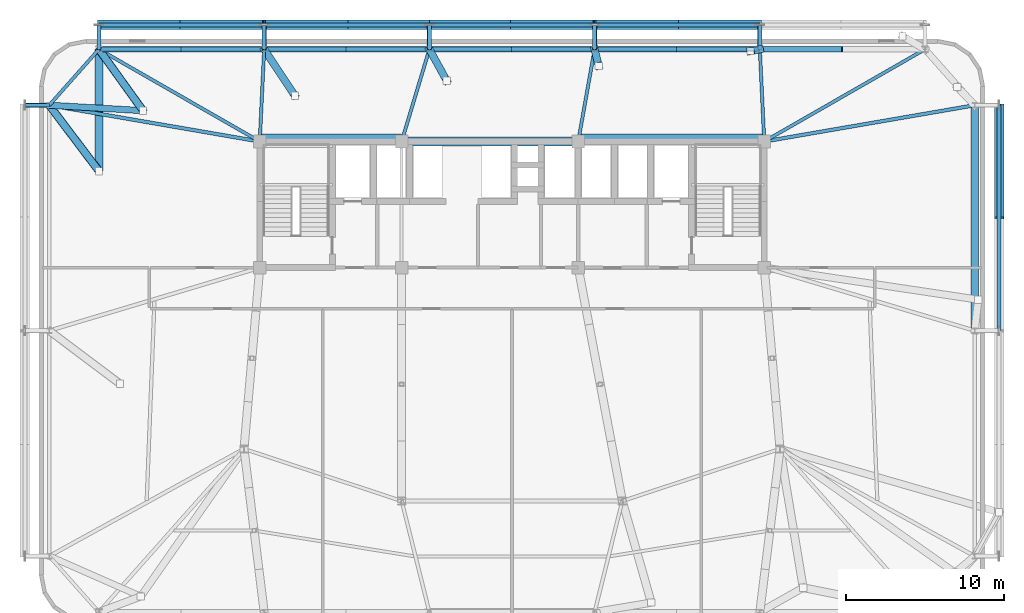
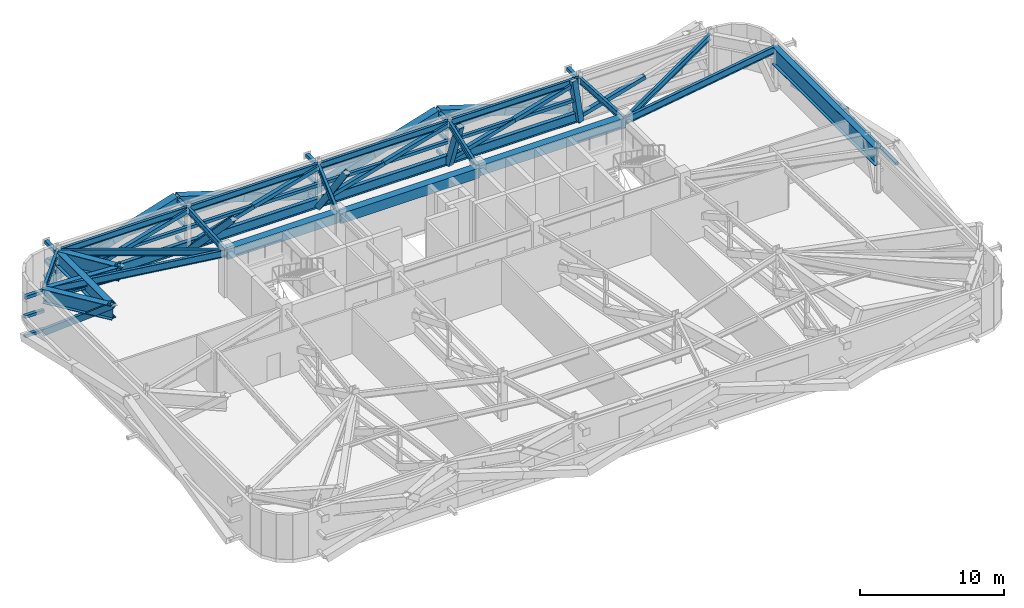
# One storey, part 11 of 24: 55 members, 21 beams.
"""IFC4 building model written with IfcOpenShell, lengths in metres."""

import ifcopenshell
import ifcopenshell.guid

model = None  # the IFC model being written
_history = None  # IfcOwnerHistory: only IFC2X3 demands one
_inside = {}  # id of a spatial element -> (the spatial element, [elements in it])
_under = {}  # id of a project, library or spatial element -> (it, [spatial elements below it])
_declared = {}  # id of a project -> (the project, [libraries it declares])
_typed = {}  # id of a type object -> (the type object, [elements of that type])
_made_of = {}  # id of a material, layer set ... -> (it, [elements and type objects made of it])


def new_model(schema):
    """Start an empty IFC model of exactly this schema.

    Asked for "IFC4X3", IfcOpenShell would pick the latest addendum, in which some entities
    have other attributes; the version numbers below select the first issue.
    IFC2X3 requires an IfcOwnerHistory on every rooted entity: one is made here for all.
    """
    global model, _history
    if schema == "IFC4X3":
        model = ifcopenshell.file(schema_version=(4, 3, 0, 0))
    else:
        model = ifcopenshell.file(schema=schema)
    _inside.clear()
    _under.clear()
    _declared.clear()
    _typed.clear()
    _made_of.clear()
    _history = None
    if model.schema == "IFC2X3":
        org = make("IfcOrganization", Name="unknown")
        user = make(
            "IfcPersonAndOrganization",
            ThePerson=make("IfcPerson", FamilyName="unknown"),
            TheOrganization=org,
        )
        app = make(
            "IfcApplication",
            ApplicationDeveloper=org,
            Version="unknown",
            ApplicationFullName="unknown",
            ApplicationIdentifier="unknown",
        )
        _history = make(
            "IfcOwnerHistory",
            OwningUser=user,
            OwningApplication=app,
            ChangeAction="ADDED",
            CreationDate=0,
        )
    return model


def make(cls, **values):
    """One entity of the class cls with the attributes given. An attribute that is None is left unset."""
    return model.create_entity(
        cls, **{name: value for name, value in values.items() if value is not None}
    )


def rooted(cls, **values):
    """An entity with a GlobalId (a new one), such as an element, a storey or a relation."""
    return make(cls, GlobalId=ifcopenshell.guid.new(), OwnerHistory=_history, **values)


def si_unit(unit_type, name, prefix=None):
    """IfcSIUnit, for example si_unit("LENGTHUNIT", "METRE", prefix="MILLI")."""
    return make("IfcSIUnit", UnitType=unit_type, Prefix=prefix, Name=name)


def assignment(units):
    """IfcUnitAssignment: the units of a project."""
    return None if units is None else make("IfcUnitAssignment", Units=units)


def point(xyz):
    """IfcCartesianPoint."""
    return None if xyz is None else make("IfcCartesianPoint", Coordinates=xyz)


def direction(xyz):
    """IfcDirection."""
    return None if xyz is None else make("IfcDirection", DirectionRatios=xyz)


def frame(location, z_axis=None, x_axis=None):
    """IfcAxis2Placement3D, a coordinate frame: its origin and axes. An axis left out is left unset."""
    return make(
        "IfcAxis2Placement3D",
        Location=point(location),
        Axis=direction(z_axis),
        RefDirection=direction(x_axis),
    )


def frame_2d(location, x_axis=None):
    """IfcAxis2Placement2D, a coordinate frame in the plane: its origin and x axis."""
    return make(
        "IfcAxis2Placement2D", Location=point(location), RefDirection=direction(x_axis)
    )


def origin():
    """The frame at (0, 0, 0) with its axes left unset."""
    return frame((0.0, 0.0, 0.0))


def origin_2d():
    """The frame at (0, 0) in the plane with its x axis left unset."""
    return frame_2d((0.0, 0.0))


def place(relative_to, where):
    """IfcLocalPlacement: puts the frame where relative to a parent placement (None: the world)."""
    return make(
        "IfcLocalPlacement", PlacementRelTo=relative_to, RelativePlacement=where
    )


def context(
    kind, dimensions, precision=None, world=None, true_north=None, identifier=None
):
    """IfcGeometricRepresentationContext, for example the 3D "Model" context."""
    return make(
        "IfcGeometricRepresentationContext",
        ContextIdentifier=identifier,
        ContextType=kind,
        CoordinateSpaceDimension=dimensions,
        Precision=precision,
        WorldCoordinateSystem=world,
        TrueNorth=true_north,
    )


def subcontext(parent, identifier, kind, view, scale=None):
    """IfcGeometricRepresentationSubContext, for example "Body" below "Model"."""
    return make(
        "IfcGeometricRepresentationSubContext",
        ContextIdentifier=identifier,
        ContextType=kind,
        ParentContext=parent,
        TargetScale=scale,
        TargetView=view,
    )


def project(units=None, contexts=None):
    """IfcProject with its units and contexts."""
    return rooted(
        "IfcProject",
        Name="project",
        RepresentationContexts=contexts,
        UnitsInContext=assignment(units),
    )


def spatial(cls, under=None, at=None, **own):
    """A site, building, storey or space (cls), placed at a placement, below another one or the project."""
    s = rooted(cls, ObjectPlacement=at, **own)
    if under is not None:
        _under.setdefault(under.id(), (under, []))[1].append(s)
    return s


def profile(cls, at=None, kind="AREA", **sizes):
    """A parametric profile (cls). Its sizes go by their IFC names, for example OverallWidth=200.0."""
    return make(cls, ProfileType=kind, Position=at, **sizes)


def rectangle(**sizes):
    """IfcRectangleProfileDef."""
    return profile("IfcRectangleProfileDef", **sizes)


def hollow_rectangle(**sizes):
    """IfcRectangleHollowProfileDef."""
    return profile("IfcRectangleHollowProfileDef", **sizes)


def i_section(**sizes):
    """IfcIShapeProfileDef."""
    return profile("IfcIShapeProfileDef", **sizes)


def extrude(swept, where, along, depth):
    """IfcExtrudedAreaSolid: the profile swept, set in the frame where, extruded along a direction by depth."""
    return make(
        "IfcExtrudedAreaSolid",
        SweptArea=swept,
        Position=where,
        ExtrudedDirection=direction(along),
        Depth=depth,
    )


def shape(context_of_items, identifier, shape_type, items):
    """IfcShapeRepresentation: the items that make up one representation, for example the "Body"."""
    return make(
        "IfcShapeRepresentation",
        ContextOfItems=context_of_items,
        RepresentationIdentifier=identifier,
        RepresentationType=shape_type,
        Items=items,
    )


def source(mapping_origin, context_of_items, identifier, shape_type, items):
    """IfcRepresentationMap: a shape defined once, which mapped items show again and again."""
    return make(
        "IfcRepresentationMap",
        MappingOrigin=mapping_origin,
        MappedRepresentation=shape(context_of_items, identifier, shape_type, items),
    )


def transform(
    local_origin,
    x_axis=None,
    y_axis=None,
    z_axis=None,
    scale=None,
    scale2=None,
    scale3=None,
    uniform=True,
):
    """IfcCartesianTransformationOperator3D, or its non-uniform kind. x_axis, y_axis, z_axis: its Axis1, 2, 3."""
    if uniform:
        return make(
            "IfcCartesianTransformationOperator3D",
            Axis1=direction(x_axis),
            Axis2=direction(y_axis),
            LocalOrigin=point(local_origin),
            Scale=scale,
            Axis3=direction(z_axis),
        )
    return make(
        "IfcCartesianTransformationOperator3DnonUniform",
        Axis1=direction(x_axis),
        Axis2=direction(y_axis),
        LocalOrigin=point(local_origin),
        Scale=scale,
        Axis3=direction(z_axis),
        Scale2=scale2,
        Scale3=scale3,
    )


def mapped(mapping_source, mapping_target):
    """IfcMappedItem: shows the shape of a source again, moved by a transform."""
    return make(
        "IfcMappedItem", MappingSource=mapping_source, MappingTarget=mapping_target
    )


def material(Name=None, Category=None):
    """IfcMaterial."""
    return make("IfcMaterial", Name=Name, Category=Category)


def material_profile(
    of_material, cross_section, Name=None, Category=None, Priority=None
):
    """IfcMaterialProfile: a cross section and its material."""
    return make(
        "IfcMaterialProfile",
        Name=Name,
        Material=of_material,
        Profile=cross_section,
        Priority=Priority,
        Category=Category,
    )


def profile_set(profiles, Name=None, composite=None):
    """IfcMaterialProfileSet."""
    return make(
        "IfcMaterialProfileSet",
        Name=Name,
        MaterialProfiles=profiles,
        CompositeProfile=composite,
    )


def made_of(thing, what):
    """Note that an element or type object is made of a material, layer set ...; save() writes the relation."""
    if what is not None:
        _made_of.setdefault(what.id(), (what, []))[1].append(thing)
    return thing


def type_object(cls, material=None, **own):
    """A type object (cls), such as IfcWallType, which elements share."""
    return made_of(rooted(cls, **own), material)


def element(
    cls,
    number,
    at=None,
    inside=None,
    cuts=None,
    type_object=None,
    material=None,
    context=None,
    identifier="Body",
    shape_type=None,
    held_by="IfcProductDefinitionShape",
    body=None,
    shapes=None,
    **own,
):
    """One element of the class cls, such as IfcWall. Its Tag is "e" and its number.

    at: its placement. inside: the storey or other place that contains it. cuts: it is an
    opening in that element (IfcRelVoidsElement). A single representation is given by context,
    identifier, shape_type and body (its items); several are given by shapes. held_by: the class
    of the entity that holds the representations. save() writes the other relations.
    """
    e = rooted(cls, Tag="e%d" % number, ObjectPlacement=at, **own)
    if body is not None:
        shapes = [shape(context, identifier, shape_type, body)]
    if shapes is not None:
        e.Representation = make(held_by, Representations=shapes)
    if inside is not None:
        _inside.setdefault(inside.id(), (inside, []))[1].append(e)
    if cuts is not None:
        rooted(
            "IfcRelVoidsElement", RelatingBuildingElement=cuts, RelatedOpeningElement=e
        )
    if type_object is not None:
        _typed.setdefault(type_object.id(), (type_object, []))[1].append(e)
    return made_of(e, material)


def aggregate(whole, parts):
    """IfcRelAggregates: a whole, such as a stair, and the parts it consists of."""
    return rooted("IfcRelAggregates", RelatingObject=whole, RelatedObjects=parts)


def save(model, path):
    """Write the relations noted so far, then the file.

    IfcRelAggregates (storeys below a building ...), IfcRelContainedInSpatialStructure (elements
    in a storey), IfcRelDefinesByType, IfcRelAssociatesMaterial and IfcRelDeclares: one each for
    every whole, place, type object, material and project.
    """
    for whole, parts in _under.values():
        aggregate(whole, parts)
    for where, things in _inside.values():
        rooted(
            "IfcRelContainedInSpatialStructure",
            RelatedElements=things,
            RelatingStructure=where,
        )
    for kind, things in _typed.values():
        rooted("IfcRelDefinesByType", RelatedObjects=things, RelatingType=kind)
    for what, things in _made_of.values():
        rooted("IfcRelAssociatesMaterial", RelatedObjects=things, RelatingMaterial=what)
    for by, libraries in _declared.values():
        rooted("IfcRelDeclares", RelatingContext=by, RelatedDefinitions=libraries)
    model.write(path)


model = new_model("IFC4")

# Units and contexts
model_context = context("Model", 3, precision=1e-05, world=origin(), true_north=direction((0.0, 1.0)))
body_context = subcontext(model_context, "Body", "Model", "MODEL_VIEW")
ifc_project = project(units=[si_unit("LENGTHUNIT", "METRE"), si_unit("AREAUNIT", "SQUARE_METRE"), si_unit("VOLUMEUNIT", "CUBIC_METRE"), si_unit("PLANEANGLEUNIT", "RADIAN"), si_unit("MASSUNIT", "GRAM", prefix="KILO")], contexts=[model_context])

# Site, building, storey
site_placement = place(None, origin())
site = spatial("IfcSite", under=ifc_project, at=site_placement, CompositionType="ELEMENT")
building_placement = place(site_placement, origin())
building = spatial("IfcBuilding", under=site, at=building_placement, Name="Taldren Reach Tower", CompositionType="ELEMENT")
storey_placement = place(building_placement, frame((0.0, 0.0, 60.89990234375)))
storey = spatial("IfcBuildingStorey", under=building, at=storey_placement, Name="L18", CompositionType="ELEMENT", Elevation=60.89990234375)

# Beams
ifc_material_1 = material(Name="Concrete S80 (80 MPa)", Category="concrete")
ifc_material_profile_1 = material_profile(ifc_material_1, rectangle(XDim=0.60009765625, YDim=0.85009765625, at=origin_2d()), Name="RC-CB600x850")
ifc_profile_set_1 = profile_set([ifc_material_profile_1], Name="Concrete S80 (80 MPa)")
beam_type_1 = type_object("IfcBeamType", Name="BM-RCCB850", PredefinedType="BEAM", material=ifc_profile_set_1)
shared_shape_1 = source(origin(), body_context, "Body", "SweptSolid", [
    extrude(rectangle(XDim=0.60009765625, YDim=0.85009765625, at=origin_2d()), origin(), (0.0, 0.0, 1.0), 9.0),
])
beam_1_placement = place(storey_placement, frame((19.0, 32.179931640625, 3.35498046875), z_axis=(1.0, 0.0, 0.0), x_axis=(0.0, 1.0, 0.0)))
element("IfcBeam", 1, at=beam_1_placement, inside=storey, type_object=beam_type_1, Name="Core-spine girder L18-SP04", PredefinedType="BEAM", context=body_context, shape_type="MappedRepresentation", body=[
    mapped(shared_shape_1, transform((0.0, 0.0, 0.0), scale=1.0)),
])
shared_shape_2 = source(origin(), body_context, "Body", "SweptSolid", [
    extrude(rectangle(XDim=0.60009765625, YDim=0.85009765625, at=origin_2d()), origin(), (0.0, 0.0, 1.0), 11.199951171875),
])
beam_2_placement = place(storey_placement, frame((28.0, 32.0, 3.35498046875), z_axis=(1.0, 0.0, 0.0), x_axis=(0.0, 1.0, 0.0)))
element("IfcBeam", 2, at=beam_2_placement, inside=storey, type_object=beam_type_1, Name="Core-spine girder L18-SP05", PredefinedType="BEAM", context=body_context, shape_type="MappedRepresentation", body=[
    mapped(shared_shape_2, transform((0.0, 0.0, 0.0), scale=1.0)),
])
shared_shape_3 = source(origin(), body_context, "Body", "SweptSolid", [
    extrude(rectangle(XDim=0.60009765625, YDim=0.85009765625, at=origin_2d()), origin(), (0.0, 0.0, 1.0), 11.800048828125),
])
beam_3_placement = place(storey_placement, frame((39.199951171875, 32.179931640625, 3.35498046875), z_axis=(1.0, 0.0, 0.0), x_axis=(0.0, 1.0, 0.0)))
element("IfcBeam", 3, at=beam_3_placement, inside=storey, type_object=beam_type_1, Name="Core-spine girder L18-SP06", PredefinedType="BEAM", context=body_context, shape_type="MappedRepresentation", body=[
    mapped(shared_shape_3, transform((0.0, 0.0, 0.0), scale=1.0)),
])
ifc_material_2 = material(Name="Steel Gr 350 (350PLUS)", Category="steel")
ifc_material_profile_2 = material_profile(ifc_material_2, i_section(OverallWidth=0.208984375, OverallDepth=0.528076171875, WebThickness=0.009521484375, FlangeThickness=0.01318359375, at=origin_2d()), Name="530UB82.0")
ifc_profile_set_2 = profile_set([ifc_material_profile_2], Name="Steel Gr 350 (350PLUS)")
beam_type_2 = type_object("IfcBeamType", Name="SP-UB530B", PredefinedType="SPANDREL", material=ifc_profile_set_2)
shared_shape_4 = source(origin(), body_context, "Body", "SweptSolid", [
    extrude(i_section(OverallWidth=0.208984375, OverallDepth=0.528076171875, WebThickness=0.009521484375, FlangeThickness=0.01318359375, at=origin_2d()), origin(), (0.0, 0.0, 1.0), 10.47998046875),
])
for number, where, z_axis, x_axis, name in (
    (4, (50.719970703125, 37.85009765625, 3.51611328125), (-1.0, 0.0, 0.0), (0.0, -1.0, 0.0), "Perimeter spandrel B1 N5-N4 L18"),
    (5, (40.239990234375, 37.85009765625, 3.51611328125), (-1.0, 0.0, 0.0), (0.0, -1.0, 0.0), "Perimeter spandrel B1 N4-N3 L18"),
    (6, (29.760009765625, 37.85009765625, 3.51611328125), (-1.0, 0.0, 0.0), (0.0, -1.0, 0.0), "Perimeter spandrel B1 N3-N2 L18"),
    (7, (19.280029296875, 37.85009765625, 3.51611328125), (-1.0, 0.0, 0.0), (0.0, -1.0, 0.0), "Perimeter spandrel B1 N2-N1 L18"),
):
    element("IfcBeam", number, at=place(storey_placement, frame(where, z_axis=z_axis, x_axis=x_axis)), inside=storey, type_object=beam_type_2, Name=name, PredefinedType="SPANDREL", context=body_context, shape_type="MappedRepresentation", body=[
        mapped(shared_shape_4, transform((0.0, 0.0, 0.0), scale=1.0)),
    ])
shared_shape_5 = source(origin(), body_context, "Body", "SweptSolid", [
    extrude(i_section(OverallWidth=0.208984375, OverallDepth=0.528076171875, WebThickness=0.009521484375, FlangeThickness=0.01318359375, at=origin_2d()), origin(), (0.0, 0.0, 1.0), 4.74609375),
])
beam_4_placement = place(storey_placement, frame((8.800048828125, 37.85009765625, 3.51611328125), z_axis=(-0.663721843779, -0.747979487747, 0.0), x_axis=(0.747979487747, -0.663721843779, 0.0)))
element("IfcBeam", 8, at=beam_4_placement, inside=storey, type_object=beam_type_2, Name="Perimeter spandrel B1 N1-W3 L18", PredefinedType="SPANDREL", context=body_context, shape_type="MappedRepresentation", body=[
    mapped(shared_shape_5, transform((0.0, 0.0, 0.0), scale=1.0)),
])
ifc_material_profile_3 = material_profile(ifc_material_2, i_section(OverallWidth=0.22802734375, OverallDepth=0.60205078125, WebThickness=0.010498046875, FlangeThickness=0.014892578125, at=origin_2d()), Name="610UB101")
ifc_profile_set_3 = profile_set([ifc_material_profile_3], Name="Steel Gr 350 (350PLUS)")
beam_type_3 = type_object("IfcBeamType", Name="BM-UB610B", PredefinedType="BEAM", material=ifc_profile_set_3)
shared_shape_6 = source(origin(), body_context, "Body", "SweptSolid", [
    extrude(i_section(OverallWidth=0.22802734375, OverallDepth=0.60205078125, WebThickness=0.010498046875, FlangeThickness=0.014892578125, at=origin_2d()), origin(), (0.0, 0.0, 1.0), 13.546875),
])
for number, where, z_axis, x_axis, name in (
    (9, (51.0, 32.0, 3.47900390625), (0.985481022998, 0.169785609847, 0.0), (-0.169785609847, 0.985481022998, 0.0), "Primary floor girder B1-E3 L18"),
    (10, (19.0, 32.0, 3.47900390625), (-0.985481022998, 0.169785609847, 0.0), (-0.169785609847, -0.985481022998, 0.0), "Primary floor girder B1-W3 L18"),
):
    element("IfcBeam", number, at=place(storey_placement, frame(where, z_axis=z_axis, x_axis=x_axis)), inside=storey, type_object=beam_type_3, Name=name, PredefinedType="BEAM", context=body_context, shape_type="MappedRepresentation", body=[
        mapped(shared_shape_6, transform((0.0, 0.0, 0.0), scale=1.0)),
    ])
ifc_material_profile_4 = material_profile(ifc_material_2, i_section(OverallWidth=0.208984375, OverallDepth=0.532958984375, WebThickness=0.01025390625, FlangeThickness=0.015625, at=origin_2d()), Name="530UB92.4")
ifc_profile_set_4 = profile_set([ifc_material_profile_4], Name="Steel Gr 350 (350PLUS)")
beam_type_4 = type_object("IfcBeamType", Name="BM-UB530A", PredefinedType="BEAM", material=ifc_profile_set_4)
shared_shape_7 = source(origin(), body_context, "Body", "SweptSolid", [
    extrude(i_section(OverallWidth=0.208984375, OverallDepth=0.532958984375, WebThickness=0.01025390625, FlangeThickness=0.015625, at=origin_2d()), origin(), (0.0, 0.0, 1.0), 11.758544921875),
])
for number, where, z_axis, x_axis, name in (
    (11, (51.0, 32.0, 3.513671875), (0.867452414141, 0.497520159593, 0.0), (-0.497520159593, 0.867452414141, 0.0), "Primary floor girder B1-N6 L18"),
    (12, (19.0, 32.0, 3.513671875), (-0.867452414141, 0.497520159593, 0.0), (-0.497520159593, -0.867452414141, 0.0), "Primary floor girder B1-N1 L18"),
):
    element("IfcBeam", number, at=place(storey_placement, frame(where, z_axis=z_axis, x_axis=x_axis)), inside=storey, type_object=beam_type_4, Name=name, PredefinedType="BEAM", context=body_context, shape_type="MappedRepresentation", body=[
        mapped(shared_shape_7, transform((0.0, 0.0, 0.0), scale=1.0)),
    ])
shared_shape_8 = source(origin(), body_context, "Body", "SweptSolid", [
    extrude(i_section(OverallWidth=0.208984375, OverallDepth=0.532958984375, WebThickness=0.01025390625, FlangeThickness=0.015625, at=origin_2d()), origin(), (0.0, 0.0, 1.0), 5.856689453125),
])
for number, where, z_axis, x_axis, name in (
    (13, (51.0, 32.0, 3.513671875), (-0.047812711672, 0.998856318297, 0.0), (-0.998856318297, -0.047812711672, 0.0), "Primary floor girder B1-N5 L18"),
    (14, (19.0, 32.0, 3.513671875), (0.047812711672, 0.998856318297, 0.0), (-0.998856318297, 0.047812711672, 0.0), "Primary floor girder B1-N2 L18"),
):
    element("IfcBeam", number, at=place(storey_placement, frame(where, z_axis=z_axis, x_axis=x_axis)), inside=storey, type_object=beam_type_4, Name=name, PredefinedType="BEAM", context=body_context, shape_type="MappedRepresentation", body=[
        mapped(shared_shape_8, transform((0.0, 0.0, 0.0), scale=1.0)),
    ])
shared_shape_9 = source(origin(), body_context, "Body", "SweptSolid", [
    extrude(i_section(OverallWidth=0.208984375, OverallDepth=0.532958984375, WebThickness=0.01025390625, FlangeThickness=0.015625, at=origin_2d()), origin(), (0.0, 0.0, 1.0), 5.94189453125),
])
beam_5_placement = place(storey_placement, frame((39.199951171875, 32.0, 3.513671875), z_axis=(0.17503687513, 0.984561878373, 0.0), x_axis=(-0.984561878373, 0.17503687513, 0.0)))
element("IfcBeam", 15, at=beam_5_placement, inside=storey, type_object=beam_type_4, Name="Primary floor girder B1-N4 L18", PredefinedType="BEAM", context=body_context, shape_type="MappedRepresentation", body=[
    mapped(shared_shape_9, transform((0.0, 0.0, 0.0), scale=1.0)),
])
shared_shape_10 = source(origin(), body_context, "Body", "SweptSolid", [
    extrude(i_section(OverallWidth=0.208984375, OverallDepth=0.532958984375, WebThickness=0.01025390625, FlangeThickness=0.015625, at=origin_2d()), origin(), (0.0, 0.0, 1.0), 6.109130859375),
])
beam_6_placement = place(storey_placement, frame((28.0, 32.0, 3.513671875), z_axis=(0.288095735745, 0.957601611864, 0.0), x_axis=(-0.957601611864, 0.288095735745, 0.0)))
element("IfcBeam", 16, at=beam_6_placement, inside=storey, type_object=beam_type_4, Name="Primary floor girder B1-N3 L18", PredefinedType="BEAM", context=body_context, shape_type="MappedRepresentation", body=[
    mapped(shared_shape_10, transform((0.0, 0.0, 0.0), scale=1.0)),
])

# Members
ifc_material_3 = material(Name="Steel Gr 450 (C450L0)", Category="steel")
ifc_material_profile_5 = material_profile(ifc_material_3, hollow_rectangle(XDim=0.27490234375, YDim=0.27490234375, WallThickness=0.00927734375, at=origin_2d()), Name="275x275x9.3SHS")
ifc_profile_set_5 = profile_set([ifc_material_profile_5], Name="Steel Gr 450 (C450L0)")
member_type_1 = type_object("IfcMemberType", Name="MB-TIE273", PredefinedType="STRUT", material=ifc_profile_set_5)
shared_shape_11 = source(origin(), body_context, "Body", "SweptSolid", [
    extrude(hollow_rectangle(XDim=0.27490234375, YDim=0.27490234375, WallThickness=0.00927734375, at=origin_2d()), origin(), (0.0, 0.0, 1.0), 1.5498046875),
])
for number, where, z_axis, x_axis, name in (
    (17, (8.800048828125, 37.85009765625, 3.5), (0.0, 1.0, 0.0), (-1.0, 0.0, 0.0), "Exoskeleton diaphragm tie strut B1-N1 L18"),
    (18, (19.280029296875, 37.85009765625, 3.5), (0.0, 1.0, 0.0), (-1.0, 0.0, 0.0), "Exoskeleton diaphragm tie strut B1-N2 L18"),
    (19, (29.760009765625, 37.85009765625, 3.5), (0.0, 1.0, 0.0), (-1.0, 0.0, 0.0), "Exoskeleton diaphragm tie strut B1-N3 L18"),
    (20, (40.239990234375, 37.85009765625, 3.5), (0.0, 1.0, 0.0), (-1.0, 0.0, 0.0), "Exoskeleton diaphragm tie strut B1-N4 L18"),
    (21, (50.719970703125, 37.85009765625, 3.5), (0.0, 1.0, 0.0), (-1.0, 0.0, 0.0), "Exoskeleton diaphragm tie strut B1-N5 L18"),
    (22, (5.64990234375, 34.300048828125, 3.5), (-1.0, 0.0, 0.0), (0.0, -1.0, 0.0), "Exoskeleton diaphragm tie strut B1-W3 L18"),
):
    element("IfcMember", number, at=place(storey_placement, frame(where, z_axis=z_axis, x_axis=x_axis)), inside=storey, type_object=member_type_1, Name=name, PredefinedType="STRUT", context=body_context, shape_type="MappedRepresentation", body=[
        mapped(shared_shape_11, transform((0.0, 0.0, 0.0), scale=1.0)),
    ])
ifc_material_4 = material(Name="Steel Gr 350 (C350L0)", Category="steel")
ifc_material_profile_6 = material_profile(ifc_material_4, hollow_rectangle(XDim=0.25, YDim=0.25, WallThickness=0.010009765625, at=origin_2d()), Name="250x250x10.0SHS")
ifc_profile_set_6 = profile_set([ifc_material_profile_6], Name="Steel Gr 350 (C350L0)")
member_type_2 = type_object("IfcMemberType", Name="MB-POST250", PredefinedType="POST", material=ifc_profile_set_6)
shared_shape_12 = source(origin(), body_context, "Body", "SweptSolid", [
    extrude(hollow_rectangle(XDim=0.25, YDim=0.25, WallThickness=0.010009765625, at=origin_2d()), origin(), (0.0, 0.0, 1.0), 10.47998046875),
])
for number, where, z_axis, x_axis, name in (
    (23, (8.800048828125, 37.85009765625, 1.955078125), (1.0, 0.0, 0.0), (0.0, 1.0, 0.0), "Belt Truss Transfer Mid Chord N1 L18"),
    (24, (19.280029296875, 37.85009765625, 1.955078125), (1.0, 0.0, 0.0), (0.0, 1.0, 0.0), "Belt Truss Transfer Mid Chord N2 L18"),
    (25, (29.760009765625, 37.85009765625, 1.955078125), (1.0, 0.0, 0.0), (0.0, 1.0, 0.0), "Belt Truss Transfer Mid Chord N3 L18"),
    (26, (40.239990234375, 37.85009765625, 1.955078125), (1.0, 0.0, 0.0), (0.0, 1.0, 0.0), "Belt Truss Transfer Mid Chord N4 L18"),
    (27, (8.800048828125, 39.39990234375, 1.860107421875), (1.0, 0.0, 0.0), (0.0, 1.0, 0.0), "Exoskeleton mid-height ring chord B1-N1 L18"),
    (28, (19.280029296875, 39.39990234375, 1.860107421875), (1.0, 0.0, 0.0), (0.0, 1.0, 0.0), "Exoskeleton mid-height ring chord B1-N2 L18"),
    (29, (29.760009765625, 39.39990234375, 1.860107421875), (1.0, 0.0, 0.0), (0.0, 1.0, 0.0), "Exoskeleton mid-height ring chord B1-N3 L18"),
    (30, (40.239990234375, 39.39990234375, 1.860107421875), (1.0, 0.0, 0.0), (0.0, 1.0, 0.0), "Exoskeleton mid-height ring chord B1-N4 L18"),
):
    element("IfcMember", number, at=place(storey_placement, frame(where, z_axis=z_axis, x_axis=x_axis)), inside=storey, type_object=member_type_2, Name=name, PredefinedType="POST", context=body_context, shape_type="MappedRepresentation", body=[
        mapped(shared_shape_12, transform((0.0, 0.0, 0.0), scale=1.0)),
    ])
shared_shape_13 = source(origin(), body_context, "Body", "SweptSolid", [
    extrude(hollow_rectangle(XDim=0.25, YDim=0.25, WallThickness=0.010009765625, at=origin_2d()), origin(), (0.0, 0.0, 1.0), 1.5498046875),
])
for number, where, z_axis, x_axis, name in (
    (31, (8.800048828125, 37.85009765625, 0.22021484375), (0.0, 1.0, 0.0), (-1.0, 0.0, 0.0), "Exoskeleton base diaphragm tie strut B1-N1 L18"),
    (32, (19.280029296875, 37.85009765625, 0.22021484375), (0.0, 1.0, 0.0), (-1.0, 0.0, 0.0), "Exoskeleton base diaphragm tie strut B1-N2 L18"),
    (33, (29.760009765625, 37.85009765625, 0.22021484375), (0.0, 1.0, 0.0), (-1.0, 0.0, 0.0), "Exoskeleton base diaphragm tie strut B1-N3 L18"),
    (34, (40.239990234375, 37.85009765625, 0.22021484375), (0.0, 1.0, 0.0), (-1.0, 0.0, 0.0), "Exoskeleton base diaphragm tie strut B1-N4 L18"),
    (35, (50.719970703125, 37.85009765625, 0.22021484375), (0.0, 1.0, 0.0), (-1.0, 0.0, 0.0), "Exoskeleton base diaphragm tie strut B1-N5 L18"),
    (36, (5.64990234375, 34.300048828125, 0.22021484375), (-1.0, 0.0, 0.0), (0.0, -1.0, 0.0), "Exoskeleton base diaphragm tie strut B1-W3 L18"),
    (37, (8.800048828125, 37.85009765625, 1.860107421875), (0.0, 1.0, 0.0), (-1.0, 0.0, 0.0), "Exoskeleton mid-tier diaphragm tie B1-N1 L18"),
    (38, (19.280029296875, 37.85009765625, 1.860107421875), (0.0, 1.0, 0.0), (-1.0, 0.0, 0.0), "Exoskeleton mid-tier diaphragm tie B1-N2 L18"),
    (39, (29.760009765625, 37.85009765625, 1.860107421875), (0.0, 1.0, 0.0), (-1.0, 0.0, 0.0), "Exoskeleton mid-tier diaphragm tie B1-N3 L18"),
    (40, (40.239990234375, 37.85009765625, 1.860107421875), (0.0, 1.0, 0.0), (-1.0, 0.0, 0.0), "Exoskeleton mid-tier diaphragm tie B1-N4 L18"),
    (41, (50.719970703125, 37.85009765625, 1.860107421875), (0.0, 1.0, 0.0), (-1.0, 0.0, 0.0), "Exoskeleton mid-tier diaphragm tie B1-N5 L18"),
    (42, (5.64990234375, 34.300048828125, 1.860107421875), (-1.0, 0.0, 0.0), (0.0, -1.0, 0.0), "Exoskeleton mid-tier diaphragm tie B1-W3 L18"),
):
    element("IfcMember", number, at=place(storey_placement, frame(where, z_axis=z_axis, x_axis=x_axis)), inside=storey, type_object=member_type_2, Name=name, PredefinedType="POST", context=body_context, shape_type="MappedRepresentation", body=[
        mapped(shared_shape_13, transform((0.0, 0.0, 0.0), scale=1.0)),
    ])
shared_shape_14 = source(origin(), body_context, "Body", "SweptSolid", [
    extrude(hollow_rectangle(XDim=0.25, YDim=0.25, WallThickness=0.010009765625, at=origin_2d()), origin(), (0.0, 0.0, 1.0), 14.300048828125),
])
member_1_placement = place(storey_placement, frame((65.89990234375, 20.0, 1.860107421875), z_axis=(0.0, 1.0, 0.0), x_axis=(-1.0, 0.0, 0.0)))
element("IfcMember", 43, at=member_1_placement, inside=storey, type_object=member_type_2, Name="Exoskeleton mid-height ring chord B1-E2 L18", PredefinedType="POST", context=body_context, shape_type="MappedRepresentation", body=[
    mapped(shared_shape_14, transform((0.0, 0.0, 0.0), scale=1.0)),
])

# Beam
ifc_material_profile_7 = material_profile(ifc_material_2, i_section(OverallWidth=0.449951171875, OverallDepth=1.5, WebThickness=0.02001953125, FlangeThickness=0.0439453125, at=origin_2d()), Name="1500WB550")
ifc_profile_set_7 = profile_set([ifc_material_profile_7], Name="Steel Gr 350 (350PLUS)")
beam_type_5 = type_object("IfcBeamType", Name="BM-PG1500", PredefinedType="BEAM", material=ifc_profile_set_7)
shared_shape_15 = source(origin(), body_context, "Body", "SweptSolid", [
    extrude(i_section(OverallWidth=0.449951171875, OverallDepth=1.5, WebThickness=0.02001953125, FlangeThickness=0.0439453125, at=origin_2d()), origin(), (0.0, 0.0, 1.0), 14.300048828125),
])
beam_7_placement = place(storey_placement, frame((64.35009765625, 20.0, 3.030029296875), z_axis=(0.0, 1.0, 0.0), x_axis=(-1.0, 0.0, 0.0)))
element("IfcBeam", 44, at=beam_7_placement, inside=storey, type_object=beam_type_5, Name="Belt Truss Transfer Tie Girder TG-B2-E2B on L18", PredefinedType="BEAM", context=body_context, shape_type="MappedRepresentation", body=[
    mapped(shared_shape_15, transform((0.0, 0.0, 0.0), scale=1.0)),
])

# Member
ifc_material_profile_8 = material_profile(ifc_material_3, hollow_rectangle(XDim=0.4599609375, YDim=0.4599609375, WallThickness=0.01611328125, at=origin_2d()), Name="460x460x16.0SHS")
ifc_profile_set_8 = profile_set([ifc_material_profile_8], Name="Steel Gr 450 (C450L0)")
member_type_3 = type_object("IfcMemberType", Name="MB-EXO457", PredefinedType="BRACE", material=ifc_profile_set_8)
shared_shape_16 = source(origin(), body_context, "Body", "SweptSolid", [
    extrude(hollow_rectangle(XDim=0.4599609375, YDim=0.4599609375, WallThickness=0.01611328125, at=origin_2d()), origin(), (0.0, 0.0, 1.0), 6.092529296875),
])
member_2_placement = place(storey_placement, frame((8.800048828125, 37.85009765625, 0.02001953125), z_axis=(0.45907165612, -0.639037683322, 0.61715804608), x_axis=(0.812157901205, 0.583437694626, 0.0)))
element("IfcMember", 45, at=member_2_placement, inside=storey, type_object=member_type_3, Name="Outrigger Belt Truss Transfer Strut TS-B2-N1 L18", PredefinedType="BRACE", context=body_context, shape_type="MappedRepresentation", body=[
    mapped(shared_shape_16, transform((0.0, 0.0, 0.0), scale=1.0)),
])

# Beams
ifc_material_profile_9 = material_profile(ifc_material_2, i_section(OverallWidth=0.5, OverallDepth=1.199951171875, WebThickness=0.01611328125, FlangeThickness=0.0400390625, at=origin_2d()), Name="1200WB455")
ifc_profile_set_9 = profile_set([ifc_material_profile_9], Name="Steel Gr 350 (350PLUS)")
beam_type_6 = type_object("IfcBeamType", Name="BM-WB1200", PredefinedType="BEAM", material=ifc_profile_set_9)
shared_shape_17 = source(origin(), body_context, "Body", "SweptSolid", [
    extrude(i_section(OverallWidth=0.5, OverallDepth=1.199951171875, WebThickness=0.01611328125, FlangeThickness=0.0400390625, at=origin_2d()), origin(), (0.0, 0.0, 1.0), 4.793701171875),
])
beam_8_placement = place(storey_placement, frame((8.800048828125, 37.85009765625, 3.18017578125), z_axis=(0.583437694626, -0.812157901205, 0.0), x_axis=(0.812157901205, 0.583437694626, 0.0)))
element("IfcBeam", 46, at=beam_8_placement, inside=storey, type_object=beam_type_6, Name="Belt Truss Transfer Girder TG-B2-N1A on L18", PredefinedType="BEAM", context=body_context, shape_type="MappedRepresentation", body=[
    mapped(shared_shape_17, transform((0.0, 0.0, 0.0), scale=1.0)),
])
ifc_material_profile_10 = material_profile(ifc_material_2, i_section(OverallWidth=0.39990234375, OverallDepth=1.02392578125, WebThickness=0.01611328125, FlangeThickness=0.031982421875, at=origin_2d()), Name="1000WB322")
ifc_profile_set_10 = profile_set([ifc_material_profile_10], Name="Steel Gr 350 (350PLUS)")
beam_type_7 = type_object("IfcBeamType", Name="BM-WB1000", PredefinedType="BEAM", material=ifc_profile_set_10)
shared_shape_18 = source(origin(), body_context, "Body", "SweptSolid", [
    extrude(i_section(OverallWidth=0.39990234375, OverallDepth=1.02392578125, WebThickness=0.01611328125, FlangeThickness=0.031982421875, at=origin_2d()), origin(), (0.0, 0.0, 1.0), 5.95703125),
])
beam_9_placement = place(storey_placement, frame((5.64990234375, 34.300048828125, 3.26806640625), z_axis=(0.998338355098, -0.057624029199, 0.0), x_axis=(0.057624029199, 0.998338355098, 0.0)))
element("IfcBeam", 47, at=beam_9_placement, inside=storey, type_object=beam_type_7, Name="Belt Truss Transfer Tie Girder TG-B2-N1B on L18", PredefinedType="BEAM", context=body_context, shape_type="MappedRepresentation", body=[
    mapped(shared_shape_18, transform((0.0, 0.0, 0.0), scale=1.0)),
])

# Members
shared_shape_19 = source(origin(), body_context, "Body", "SweptSolid", [
    extrude(hollow_rectangle(XDim=0.4599609375, YDim=0.4599609375, WallThickness=0.01611328125, at=origin_2d()), origin(), (0.0, 0.0, 1.0), 5.1611328125),
])
member_3_placement = place(storey_placement, frame((19.280029296875, 37.85009765625, 0.02001953125), z_axis=(0.377952512079, -0.571327965068, 0.728516475411), x_axis=(0.834020990591, 0.551732713597, 0.0)))
element("IfcMember", 48, at=member_3_placement, inside=storey, type_object=member_type_3, Name="Outrigger Belt Truss Transfer Strut TS-B2-N2 L18", PredefinedType="BRACE", context=body_context, shape_type="MappedRepresentation", body=[
    mapped(shared_shape_19, transform((0.0, 0.0, 0.0), scale=1.0)),
])
shared_shape_20 = source(origin(), body_context, "Body", "SweptSolid", [
    extrude(hollow_rectangle(XDim=0.4599609375, YDim=0.4599609375, WallThickness=0.01611328125, at=origin_2d()), origin(), (0.0, 0.0, 1.0), 4.401611328125),
])
member_4_placement = place(storey_placement, frame((29.760009765625, 37.85009765625, 0.02001953125), z_axis=(0.250935312034, -0.45527786056, 0.854256131882), x_axis=(0.875783026631, 0.482704972281, 0.0)))
element("IfcMember", 49, at=member_4_placement, inside=storey, type_object=member_type_3, Name="Outrigger Belt Truss Transfer Strut TS-B2-N3 L18", PredefinedType="BRACE", context=body_context, shape_type="MappedRepresentation", body=[
    mapped(shared_shape_20, transform((0.0, 0.0, 0.0), scale=1.0)),
])
shared_shape_21 = source(origin(), body_context, "Body", "SweptSolid", [
    extrude(hollow_rectangle(XDim=0.4599609375, YDim=0.4599609375, WallThickness=0.01611328125, at=origin_2d()), origin(), (0.0, 0.0, 1.0), 3.914794921875),
])
member_5_placement = place(storey_placement, frame((40.239990234375, 37.85009765625, 0.02001953125), z_axis=(0.065978632314, -0.270587226477, 0.960431867935), x_axis=(0.971535423238, 0.236894325371, 0.0)))
element("IfcMember", 50, at=member_5_placement, inside=storey, type_object=member_type_3, Name="Outrigger Belt Truss Transfer Strut TS-B2-N4 L18", PredefinedType="BRACE", context=body_context, shape_type="MappedRepresentation", body=[
    mapped(shared_shape_21, transform((0.0, 0.0, 0.0), scale=1.0)),
])
shared_shape_22 = source(origin(), body_context, "Body", "SweptSolid", [
    extrude(hollow_rectangle(XDim=0.4599609375, YDim=0.4599609375, WallThickness=0.01611328125, at=origin_2d()), origin(), (0.0, 0.0, 1.0), 3.807373046875),
])
member_6_placement = place(storey_placement, frame((50.719970703125, 37.85009765625, 0.02001953125), z_axis=(-0.154406515168, -0.030137484273, 0.987547649542), x_axis=(0.191567818926, -0.981479378669, 0.0)))
element("IfcMember", 51, at=member_6_placement, inside=storey, type_object=member_type_3, Name="Outrigger Belt Truss Transfer Strut TS-B2-N5 L18", PredefinedType="BRACE", context=body_context, shape_type="MappedRepresentation", body=[
    mapped(shared_shape_22, transform((0.0, 0.0, 0.0), scale=1.0)),
])
shared_shape_23 = source(origin(), body_context, "Body", "SweptSolid", [
    extrude(hollow_rectangle(XDim=0.4599609375, YDim=0.4599609375, WallThickness=0.01611328125, at=origin_2d()), origin(), (0.0, 0.0, 1.0), 6.450927734375),
])
member_7_placement = place(storey_placement, frame((5.64990234375, 34.300048828125, 0.02001953125), z_axis=(0.489602790249, -0.64851460259, 0.582853255981), x_axis=(0.798095759916, 0.60253062827, 0.0)))
element("IfcMember", 52, at=member_7_placement, inside=storey, type_object=member_type_3, Name="Outrigger Belt Truss Transfer Strut TS-B2-W3 L18", PredefinedType="BRACE", context=body_context, shape_type="MappedRepresentation", body=[
    mapped(shared_shape_23, transform((0.0, 0.0, 0.0), scale=1.0)),
])

# Beams
shared_shape_24 = source(origin(), body_context, "Body", "SweptSolid", [
    extrude(i_section(OverallWidth=0.5, OverallDepth=1.199951171875, WebThickness=0.01611328125, FlangeThickness=0.0400390625, at=origin_2d()), origin(), (0.0, 0.0, 1.0), 5.241943359375),
])
beam_10_placement = place(storey_placement, frame((5.64990234375, 34.300048828125, 3.18017578125), z_axis=(0.60253062827, -0.798095759916, 0.0), x_axis=(0.798095759916, 0.60253062827, 0.0)))
element("IfcBeam", 53, at=beam_10_placement, inside=storey, type_object=beam_type_6, Name="Belt Truss Transfer Girder TG-B2-W3A on L18", PredefinedType="BEAM", context=body_context, shape_type="MappedRepresentation", body=[
    mapped(shared_shape_24, transform((0.0, 0.0, 0.0), scale=1.0)),
])
shared_shape_25 = source(origin(), body_context, "Body", "SweptSolid", [
    extrude(i_section(OverallWidth=0.5, OverallDepth=1.199951171875, WebThickness=0.01611328125, FlangeThickness=0.0400390625, at=origin_2d()), origin(), (0.0, 0.0, 1.0), 7.733642578125),
])
beam_11_placement = place(storey_placement, frame((8.800048828125, 37.85009765625, 3.18017578125), z_axis=(0.001073333346, -0.999999423978, 0.0), x_axis=(0.999999423978, 0.001073333346, 0.0)))
element("IfcBeam", 54, at=beam_11_placement, inside=storey, type_object=beam_type_6, Name="Belt Truss Transfer Tie Girder TG-B2-W3B on L18", PredefinedType="BEAM", context=body_context, shape_type="MappedRepresentation", body=[
    mapped(shared_shape_25, transform((0.0, 0.0, 0.0), scale=1.0)),
])

# Members
ifc_material_profile_11 = material_profile(ifc_material_2, i_section(OverallWidth=0.300048828125, OverallDepth=0.81591796875, WebThickness=0.011962890625, FlangeThickness=0.02392578125, at=origin_2d()), Name="800WB192")
ifc_profile_set_11 = profile_set([ifc_material_profile_11], Name="Steel Gr 350 (350PLUS)")
member_type_4 = type_object("IfcMemberType", Name="MB-CH800", PredefinedType="CHORD", material=ifc_profile_set_11)
shared_shape_26 = source(origin(), body_context, "Body", "SweptSolid", [
    extrude(i_section(OverallWidth=0.300048828125, OverallDepth=0.81591796875, WebThickness=0.011962890625, FlangeThickness=0.02392578125, at=origin_2d()), origin(), (0.0, 0.0, 1.0), 10.47998046875),
])
for number, where, z_axis, x_axis, name in (
    (55, (8.800048828125, 37.85009765625, 0.4501953125), (1.0, 0.0, 0.0), (0.0, 1.0, 0.0), "Belt Truss Transfer Bottom Chord N1 L18"),
    (56, (19.280029296875, 37.85009765625, 0.4501953125), (1.0, 0.0, 0.0), (0.0, 1.0, 0.0), "Belt Truss Transfer Bottom Chord N2 L18"),
    (57, (29.760009765625, 37.85009765625, 0.4501953125), (1.0, 0.0, 0.0), (0.0, 1.0, 0.0), "Belt Truss Transfer Bottom Chord N3 L18"),
    (58, (40.239990234375, 37.85009765625, 0.4501953125), (1.0, 0.0, 0.0), (0.0, 1.0, 0.0), "Belt Truss Transfer Bottom Chord N4 L18"),
):
    element("IfcMember", number, at=place(storey_placement, frame(where, z_axis=z_axis, x_axis=x_axis)), inside=storey, type_object=member_type_4, Name=name, PredefinedType="CHORD", context=body_context, shape_type="MappedRepresentation", body=[
        mapped(shared_shape_26, transform((0.0, 0.0, 0.0), scale=1.0)),
    ])
ifc_material_profile_12 = material_profile(ifc_material_3, hollow_rectangle(XDim=0.324951171875, YDim=0.324951171875, WallThickness=0.0126953125, at=origin_2d()), Name="325x325x12.7SHS")
ifc_profile_set_12 = profile_set([ifc_material_profile_12], Name="Steel Gr 450 (C450L0)")
member_type_5 = type_object("IfcMemberType", Name="MB-BR324", PredefinedType="BRACE", material=ifc_profile_set_12)
shared_shape_27 = source(origin(), body_context, "Body", "SweptSolid", [
    extrude(hollow_rectangle(XDim=0.324951171875, YDim=0.324951171875, WallThickness=0.0126953125, at=origin_2d()), origin(), (0.0, 0.0, 1.0), 5.451904296875),
])
for number, where, z_axis, x_axis, name in (
    (59, (8.800048828125, 37.85009765625, 0.4501953125), (0.96114789944, 0.0, 0.27603390263), (0.0, 1.0, 0.0), "Belt Truss Transfer Diagonal N1 L18"),
    (60, (14.0400390625, 37.85009765625, 1.955078125), (0.961136017712, 0.0, 0.27607527136), (0.0, 1.0, 0.0), "Belt Truss Transfer Diagonal N1 L18"),
    (61, (19.280029296875, 37.85009765625, 0.4501953125), (0.96114789944, 0.0, 0.27603390263), (0.0, 1.0, 0.0), "Belt Truss Transfer Diagonal N2 L18"),
    (62, (24.52001953125, 37.85009765625, 1.955078125), (0.961136017712, 0.0, 0.27607527136), (0.0, 1.0, 0.0), "Belt Truss Transfer Diagonal N2 L18"),
    (63, (29.760009765625, 37.85009765625, 0.4501953125), (0.96114789944, 0.0, 0.27603390263), (0.0, 1.0, 0.0), "Belt Truss Transfer Diagonal N3 L18"),
    (64, (35.0, 37.85009765625, 1.955078125), (0.961136017712, 0.0, 0.27607527136), (0.0, 1.0, 0.0), "Belt Truss Transfer Diagonal N3 L18"),
    (65, (40.239990234375, 37.85009765625, 0.4501953125), (0.96114789944, 0.0, 0.27603390263), (0.0, 1.0, 0.0), "Belt Truss Transfer Diagonal N4 L18"),
    (66, (45.47998046875, 37.85009765625, 1.955078125), (0.961136017712, 0.0, 0.27607527136), (0.0, 1.0, 0.0), "Belt Truss Transfer Diagonal N4 L18"),
    (67, (50.719970703125, 37.85009765625, 0.4501953125), (0.96114789944, 0.0, 0.27603390263), (0.0, 1.0, 0.0), "Belt Truss Transfer Diagonal N5 L18"),
):
    element("IfcMember", number, at=place(storey_placement, frame(where, z_axis=z_axis, x_axis=x_axis)), inside=storey, type_object=member_type_5, Name=name, PredefinedType="BRACE", context=body_context, shape_type="MappedRepresentation", body=[
        mapped(shared_shape_27, transform((0.0, 0.0, 0.0), scale=1.0)),
    ])
ifc_material_profile_13 = material_profile(ifc_material_3, hollow_rectangle(XDim=0.614990234375, YDim=0.614990234375, WallThickness=0.02490234375, at=origin_2d()), Name="615x615x25.0SHS")
ifc_profile_set_13 = profile_set([ifc_material_profile_13], Name="Steel Gr 450 (C450L0)")
member_type_6 = type_object("IfcMemberType", Name="MB-EXO610", PredefinedType="BRACE", material=ifc_profile_set_13)
shared_shape_28 = source(origin(), body_context, "Body", "SweptSolid", [
    extrude(hollow_rectangle(XDim=0.614990234375, YDim=0.614990234375, WallThickness=0.02490234375, at=origin_2d()), origin(), (0.0, 0.0, 1.0), 5.49072265625),
])
for number, where, z_axis, x_axis, name in (
    (68, (8.800048828125, 39.39990234375, 0.22021484375), (0.954355677655, 0.0, 0.298672463626), (0.0, 1.0, 0.0), "Exoskeleton Diagrid Brace B1-N1 L18"),
    (69, (14.0400390625, 39.39990234375, 1.860107421875), (0.954355677655, 0.0, 0.298672463626), (0.0, 1.0, 0.0), "Exoskeleton Diagrid Brace B1-N1 L18"),
    (70, (29.760009765625, 39.39990234375, 0.22021484375), (-0.954355677655, 0.0, 0.298672463626), (0.0, -1.0, 0.0), "Exoskeleton Diagrid Brace B1-N2 L18"),
    (71, (24.52001953125, 39.39990234375, 1.860107421875), (-0.954355677655, 0.0, 0.298672463626), (0.0, -1.0, 0.0), "Exoskeleton Diagrid Brace B1-N2 L18"),
    (72, (29.760009765625, 39.39990234375, 0.22021484375), (0.954355677655, 0.0, 0.298672463626), (0.0, 1.0, 0.0), "Exoskeleton Diagrid Brace B1-N3 L18"),
    (73, (35.0, 39.39990234375, 1.860107421875), (0.954355677655, 0.0, 0.298672463626), (0.0, 1.0, 0.0), "Exoskeleton Diagrid Brace B1-N3 L18"),
    (74, (50.719970703125, 39.39990234375, 0.22021484375), (-0.954355677655, 0.0, 0.298672463626), (0.0, -1.0, 0.0), "Exoskeleton Diagrid Brace B1-N4 L18"),
    (75, (45.47998046875, 39.39990234375, 1.860107421875), (-0.954355677655, 0.0, 0.298672463626), (0.0, -1.0, 0.0), "Exoskeleton Diagrid Brace B1-N4 L18"),
):
    element("IfcMember", number, at=place(storey_placement, frame(where, z_axis=z_axis, x_axis=x_axis)), inside=storey, type_object=member_type_6, Name=name, PredefinedType="BRACE", context=body_context, shape_type="MappedRepresentation", body=[
        mapped(shared_shape_28, transform((0.0, 0.0, 0.0), scale=1.0)),
    ])
shared_shape_29 = source(origin(), body_context, "Body", "SweptSolid", [
    extrude(hollow_rectangle(XDim=0.614990234375, YDim=0.614990234375, WallThickness=0.02490234375, at=origin_2d()), origin(), (0.0, 0.0, 1.0), 7.335693359375),
])
member_8_placement = place(storey_placement, frame((65.89990234375, 34.300048828125, 0.22021484375), z_axis=(0.0, -0.974693203866, 0.22354676991), x_axis=(1.0, 0.0, 0.0)))
element("IfcMember", 76, at=member_8_placement, inside=storey, type_object=member_type_6, Name="Exoskeleton Diagrid Brace B1-E2 L18", PredefinedType="BRACE", context=body_context, shape_type="MappedRepresentation", body=[
    mapped(shared_shape_29, transform((0.0, 0.0, 0.0), scale=1.0)),
])

save(model, "model.ifc")
